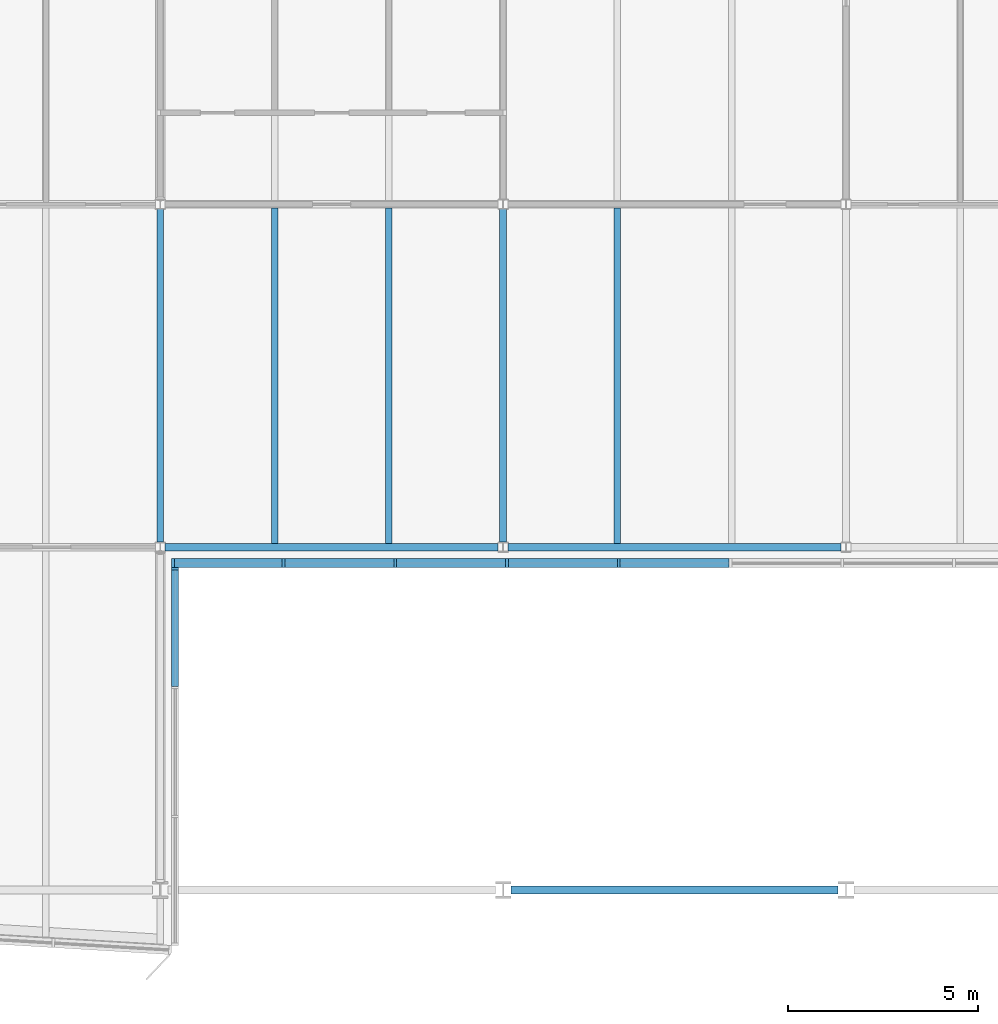
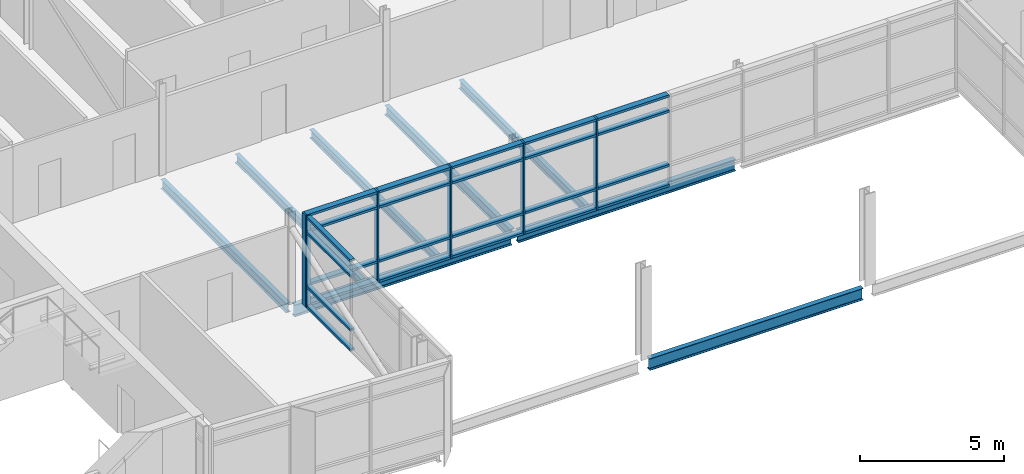
# One storey, part 3 of 20: 30 members, 8 beams, 2 elements without a shape of their own.
"""IFC4 building model written with IfcOpenShell, lengths in metres."""

from ifc_helpers import new_model, si_unit, direction, frame, origin, origin_2d, place, context, subcontext, project, spatial, rectangle, i_section, extrude, material, material_profile, profile_set, type_object, element, aggregate, save


model = new_model("IFC4")

# Units and contexts
model_context = context("Model", 3, precision=1e-05, world=origin(), true_north=direction((0.0, 1.0)))
body_context = subcontext(model_context, "Body", "Model", "MODEL_VIEW")
ifc_project = project(units=[si_unit("LENGTHUNIT", "METRE"), si_unit("AREAUNIT", "SQUARE_METRE"), si_unit("VOLUMEUNIT", "CUBIC_METRE"), si_unit("PLANEANGLEUNIT", "RADIAN"), si_unit("MASSUNIT", "GRAM", prefix="KILO")], contexts=[model_context])

# Site, building, storey
site_placement = place(None, origin())
site = spatial("IfcSite", under=ifc_project, at=site_placement, CompositionType="ELEMENT")
building_placement = place(site_placement, origin())
building = spatial("IfcBuilding", under=site, at=building_placement, Name="Azimuth Sports and Learning Centre", CompositionType="ELEMENT")
storey_placement = place(building_placement, frame((0.0, 0.0, 71.39990234375)))
storey = spatial("IfcBuildingStorey", under=building, at=storey_placement, Name="L16", CompositionType="ELEMENT", Elevation=71.39990234375)

# Beams
ifc_material_1 = material(Name="Steel S355", Category="steel")
ifc_material_profile_1 = material_profile(ifc_material_1, i_section(OverallWidth=0.179931640625, OverallDepth=0.39990234375, WebThickness=0.008544921875, FlangeThickness=0.013427734375, FilletRadius=0.02099609375, at=origin_2d()), Name="IPE 400")
ifc_profile_set_1 = profile_set([ifc_material_profile_1], Name="Steel S355")
beam_type_1 = type_object("IfcBeamType", Name="Beam IPE 400", PredefinedType="BEAM", material=ifc_profile_set_1)
for number, where, z_axis, x_axis, name in (
    (1, (72.0, 99.1298828125, -0.329833984375), (0.0, 1.0, 0.0), (-1.0, 0.0, 0.0), "Tower tie"),
    (2, (81.0, 99.1298828125, -0.329833984375), (0.0, 1.0, 0.0), (-1.0, 0.0, 0.0), "Tower tie"),
):
    element("IfcBeam", number, at=place(storey_placement, frame(where, z_axis=z_axis, x_axis=x_axis)), inside=storey, type_object=beam_type_1, Name=name, PredefinedType="BEAM", context=body_context, shape_type="SweptSolid", body=[
        extrude(i_section(OverallWidth=0.179931640625, OverallDepth=0.39990234375, WebThickness=0.008544921875, FlangeThickness=0.013427734375, FilletRadius=0.02099609375, at=origin_2d()), origin(), (0.0, 0.0, 1.0), 8.740234375),
    ])
ifc_material_2 = material(Name="Steel S355", Category="steel")
ifc_material_profile_2 = material_profile(ifc_material_2, i_section(OverallWidth=0.199951171875, OverallDepth=0.5, WebThickness=0.01025390625, FlangeThickness=0.01611328125, FilletRadius=0.02099609375, at=origin_2d()), Name="IPE 500")
ifc_profile_set_2 = profile_set([ifc_material_profile_2], Name="Steel S355")
beam_type_2 = type_object("IfcBeamType", Name="Beam IPE 500", PredefinedType="BEAM", material=ifc_profile_set_2)
beam_placement = place(storey_placement, frame((81.2060546875, 90.0, -0.3798828125), z_axis=(1.0, 0.0, 0.0), x_axis=(0.0, 1.0, 0.0)))
element("IfcBeam", 3, at=beam_placement, inside=storey, type_object=beam_type_2, Name="Tower girder L16", PredefinedType="BEAM", context=body_context, shape_type="SweptSolid", body=[
    extrude(i_section(OverallWidth=0.199951171875, OverallDepth=0.5, WebThickness=0.01025390625, FlangeThickness=0.01611328125, FilletRadius=0.02099609375, at=origin_2d()), origin(), (0.0, 0.0, 1.0), 8.587890625),
])
for number, where, z_axis, x_axis, name in (
    (4, (72.1298828125, 99.0, -0.3798828125), (1.0, 0.0, 0.0), (0.0, 1.0, 0.0), "Tower girder L16"),
    (5, (81.1298828125, 99.0, -0.3798828125), (1.0, 0.0, 0.0), (0.0, 1.0, 0.0), "Tower girder L16"),
):
    element("IfcBeam", number, at=place(storey_placement, frame(where, z_axis=z_axis, x_axis=x_axis)), inside=storey, type_object=beam_type_2, Name=name, PredefinedType="BEAM", context=body_context, shape_type="SweptSolid", body=[
        extrude(i_section(OverallWidth=0.199951171875, OverallDepth=0.5, WebThickness=0.01025390625, FlangeThickness=0.01611328125, FilletRadius=0.02099609375, at=origin_2d()), origin(), (0.0, 0.0, 1.0), 8.740234375),
    ])
ifc_material_3 = material(Name="Steel S355", Category="steel")
ifc_material_profile_3 = material_profile(ifc_material_3, i_section(OverallWidth=0.169921875, OverallDepth=0.360107421875, WebThickness=0.008056640625, FlangeThickness=0.0126953125, FilletRadius=0.01806640625, at=origin_2d()), Name="IPE 360")
ifc_profile_set_3 = profile_set([ifc_material_profile_3], Name="Steel S355")
beam_type_3 = type_object("IfcBeamType", Name="Joist IPE 360", PredefinedType="JOIST", material=ifc_profile_set_3)
for number, where, z_axis, x_axis, name in (
    (6, (75.0, 99.10009765625, -0.309814453125), (0.0, 1.0, 0.0), (-1.0, 0.0, 0.0), "Tower joist"),
    (7, (78.0, 99.10009765625, -0.309814453125), (0.0, 1.0, 0.0), (-1.0, 0.0, 0.0), "Tower joist"),
    (8, (84.0, 99.10009765625, -0.309814453125), (0.0, 1.0, 0.0), (-1.0, 0.0, 0.0), "Tower joist"),
):
    element("IfcBeam", number, at=place(storey_placement, frame(where, z_axis=z_axis, x_axis=x_axis)), inside=storey, type_object=beam_type_3, Name=name, PredefinedType="JOIST", context=body_context, shape_type="SweptSolid", body=[
        extrude(i_section(OverallWidth=0.169921875, OverallDepth=0.360107421875, WebThickness=0.008056640625, FlangeThickness=0.0126953125, FilletRadius=0.01806640625, at=origin_2d()), origin(), (0.0, 0.0, 1.0), 8.7998046875),
    ])

# Curtain wall, member
ifc_material_4 = material(Name="Aluminium and glass", Category="aluminium")
curtain_wall_type_1 = type_object("IfcCurtainWallType", Name="Curtain wall tower return 180", PredefinedType="NOTDEFINED", material=ifc_material_4)
curtain_wall_1_placement = place(storey_placement, origin())
curtain_wall_1 = element("IfcCurtainWall", 9, at=curtain_wall_1_placement, inside=storey, type_object=curtain_wall_type_1, Name="Curtain wall CW16-003", PredefinedType="NOTDEFINED")
ifc_material_5 = material(Name="Aluminium", Category="aluminium")
ifc_material_profile_4 = material_profile(ifc_material_5, rectangle(XDim=0.179931640625, YDim=0.06005859375, at=origin_2d()), Name="Mullion 60x180")
ifc_profile_set_4 = profile_set([ifc_material_profile_4], Name="Aluminium")
member_type_1 = type_object("IfcMemberType", Name="Mullion 60x180", PredefinedType="MULLION", material=ifc_profile_set_4)
member_1_placement = place(storey_placement, frame((72.389892578125, 98.429931640625, 0.0), z_axis=(0.0, 0.0, 1.0), x_axis=(-1.0, 0.0, 0.0)))
member_1 = element("IfcMember", 10, at=member_1_placement, type_object=member_type_1, Name="CW16-003 mullion 4", PredefinedType="MULLION", context=body_context, shape_type="SweptSolid", body=[
    extrude(rectangle(XDim=0.179931640625, YDim=0.06005859375, at=origin_2d()), origin(), (0.0, 0.0, 1.0), 3.900146484375),
])

# Curtain wall, members
ifc_material_6 = material(Name="Aluminium and glass", Category="aluminium")
curtain_wall_type_2 = type_object("IfcCurtainWallType", Name="Curtain wall tower south 240", PredefinedType="NOTDEFINED", material=ifc_material_6)
curtain_wall_2_placement = place(storey_placement, origin())
curtain_wall_2 = element("IfcCurtainWall", 11, at=curtain_wall_2_placement, inside=storey, type_object=curtain_wall_type_2, Name="Curtain wall CW16-004", PredefinedType="NOTDEFINED")
ifc_material_7 = material(Name="Aluminium", Category="aluminium")
ifc_material_profile_5 = material_profile(ifc_material_7, rectangle(XDim=0.239990234375, YDim=0.070068359375, at=origin_2d()), Name="Mullion 70x240")
ifc_profile_set_5 = profile_set([ifc_material_profile_5], Name="Aluminium")
member_type_2 = type_object("IfcMemberType", Name="Mullion 70x240", PredefinedType="MULLION", material=ifc_profile_set_5)
member_2_placement = place(storey_placement, frame((72.3349609375, 98.580078125, 0.0), z_axis=(0.0, 0.0, 1.0), x_axis=(0.0, 1.0, 0.0)))
member_2 = element("IfcMember", 12, at=member_2_placement, type_object=member_type_2, Name="CW16-004 mullion 1", PredefinedType="MULLION", context=body_context, shape_type="SweptSolid", body=[
    extrude(rectangle(XDim=0.239990234375, YDim=0.070068359375, at=origin_2d()), origin(), (0.0, 0.0, 1.0), 3.900146484375),
])
member_3_placement = place(storey_placement, frame((75.2333984375, 98.580078125, 0.0), z_axis=(0.0, 0.0, 1.0), x_axis=(0.0, 1.0, 0.0)))
member_3 = element("IfcMember", 13, at=member_3_placement, type_object=member_type_2, Name="CW16-004 mullion 2", PredefinedType="MULLION", context=body_context, shape_type="SweptSolid", body=[
    extrude(rectangle(XDim=0.239990234375, YDim=0.070068359375, at=origin_2d()), origin(), (0.0, 0.0, 1.0), 3.900146484375),
])
member_4_placement = place(storey_placement, frame((78.166748046875, 98.580078125, 0.0), z_axis=(0.0, 0.0, 1.0), x_axis=(0.0, 1.0, 0.0)))
member_4 = element("IfcMember", 14, at=member_4_placement, type_object=member_type_2, Name="CW16-004 mullion 3", PredefinedType="MULLION", context=body_context, shape_type="SweptSolid", body=[
    extrude(rectangle(XDim=0.239990234375, YDim=0.070068359375, at=origin_2d()), origin(), (0.0, 0.0, 1.0), 3.900146484375),
])
member_5_placement = place(storey_placement, frame((81.10009765625, 98.580078125, 0.0), z_axis=(0.0, 0.0, 1.0), x_axis=(0.0, 1.0, 0.0)))
member_5 = element("IfcMember", 15, at=member_5_placement, type_object=member_type_2, Name="CW16-004 mullion 4", PredefinedType="MULLION", context=body_context, shape_type="SweptSolid", body=[
    extrude(rectangle(XDim=0.239990234375, YDim=0.070068359375, at=origin_2d()), origin(), (0.0, 0.0, 1.0), 3.900146484375),
])
member_6_placement = place(storey_placement, frame((84.033447265625, 98.580078125, 0.0), z_axis=(0.0, 0.0, 1.0), x_axis=(0.0, 1.0, 0.0)))
member_6 = element("IfcMember", 16, at=member_6_placement, type_object=member_type_2, Name="CW16-004 mullion 5", PredefinedType="MULLION", context=body_context, shape_type="SweptSolid", body=[
    extrude(rectangle(XDim=0.239990234375, YDim=0.070068359375, at=origin_2d()), origin(), (0.0, 0.0, 1.0), 3.900146484375),
])

# Member
ifc_material_8 = material(Name="Aluminium", Category="aluminium")
ifc_material_profile_6 = material_profile(ifc_material_8, rectangle(XDim=0.179931640625, YDim=0.10009765625, at=origin_2d()), Name="Transom 100x180")
ifc_profile_set_6 = profile_set([ifc_material_profile_6], Name="Aluminium")
member_type_3 = type_object("IfcMemberType", Name="Transom 100x180", PredefinedType="USERDEFINED", material=ifc_profile_set_6)
member_7_placement = place(storey_placement, frame((72.389892578125, 95.343994140625, 0.050048828125), z_axis=(0.0, 1.0, 0.0), x_axis=(-1.0, 0.0, 0.0)))
member_7 = element("IfcMember", 17, at=member_7_placement, type_object=member_type_3, Name="CW16-003 transom 3.1", ObjectType="TRANSOM", PredefinedType="USERDEFINED", context=body_context, shape_type="SweptSolid", body=[
    extrude(rectangle(XDim=0.179931640625, YDim=0.10009765625, at=origin_2d()), origin(), (0.0, 0.0, 1.0), 3.055908203125),
])

member_8_placement = place(storey_placement, frame((72.389892578125, 95.343994140625, 0.900146484375), z_axis=(0.0, 1.0, 0.0), x_axis=(-1.0, 0.0, 0.0)))
member_8 = element("IfcMember", 18, at=member_8_placement, type_object=member_type_3, Name="CW16-003 transom 3.2", ObjectType="TRANSOM", PredefinedType="USERDEFINED", context=body_context, shape_type="SweptSolid", body=[
    extrude(rectangle(XDim=0.179931640625, YDim=0.10009765625, at=origin_2d()), origin(), (0.0, 0.0, 1.0), 3.055908203125),
])

member_9_placement = place(storey_placement, frame((72.389892578125, 95.343994140625, 3.2001953125), z_axis=(0.0, 1.0, 0.0), x_axis=(-1.0, 0.0, 0.0)))
member_9 = element("IfcMember", 19, at=member_9_placement, type_object=member_type_3, Name="CW16-003 transom 3.3", ObjectType="TRANSOM", PredefinedType="USERDEFINED", context=body_context, shape_type="SweptSolid", body=[
    extrude(rectangle(XDim=0.179931640625, YDim=0.10009765625, at=origin_2d()), origin(), (0.0, 0.0, 1.0), 3.055908203125),
])

member_10_placement = place(storey_placement, frame((72.389892578125, 95.343994140625, 3.85009765625), z_axis=(0.0, 1.0, 0.0), x_axis=(-1.0, 0.0, 0.0)))
member_10 = element("IfcMember", 20, at=member_10_placement, type_object=member_type_3, Name="CW16-003 transom 3.4", ObjectType="TRANSOM", PredefinedType="USERDEFINED", context=body_context, shape_type="SweptSolid", body=[
    extrude(rectangle(XDim=0.179931640625, YDim=0.10009765625, at=origin_2d()), origin(), (0.0, 0.0, 1.0), 3.055908203125),
])

aggregate(curtain_wall_1, [member_1, member_7, member_8, member_9, member_10])

ifc_material_9 = material(Name="Aluminium", Category="aluminium")
ifc_material_profile_7 = material_profile(ifc_material_9, rectangle(XDim=0.239990234375, YDim=0.10009765625, at=origin_2d()), Name="Transom 100x240")
ifc_profile_set_7 = profile_set([ifc_material_profile_7], Name="Aluminium")
member_type_4 = type_object("IfcMemberType", Name="Transom 100x240", PredefinedType="USERDEFINED", material=ifc_profile_set_7)
member_11_placement = place(storey_placement, frame((72.3701171875, 98.580078125, 0.050048828125), z_axis=(1.0, 0.0, 0.0), x_axis=(0.0, 1.0, 0.0)))
member_11 = element("IfcMember", 21, at=member_11_placement, type_object=member_type_4, Name="CW16-004 transom 1.1", ObjectType="TRANSOM", PredefinedType="USERDEFINED", context=body_context, shape_type="SweptSolid", body=[
    extrude(rectangle(XDim=0.239990234375, YDim=0.10009765625, at=origin_2d()), origin(), (0.0, 0.0, 1.0), 2.828125),
])

member_12_placement = place(storey_placement, frame((72.3701171875, 98.580078125, 0.900146484375), z_axis=(1.0, 0.0, 0.0), x_axis=(0.0, 1.0, 0.0)))
member_12 = element("IfcMember", 22, at=member_12_placement, type_object=member_type_4, Name="CW16-004 transom 1.2", ObjectType="TRANSOM", PredefinedType="USERDEFINED", context=body_context, shape_type="SweptSolid", body=[
    extrude(rectangle(XDim=0.239990234375, YDim=0.10009765625, at=origin_2d()), origin(), (0.0, 0.0, 1.0), 2.828125),
])

member_13_placement = place(storey_placement, frame((72.3701171875, 98.580078125, 3.2001953125), z_axis=(1.0, 0.0, 0.0), x_axis=(0.0, 1.0, 0.0)))
member_13 = element("IfcMember", 23, at=member_13_placement, type_object=member_type_4, Name="CW16-004 transom 1.3", ObjectType="TRANSOM", PredefinedType="USERDEFINED", context=body_context, shape_type="SweptSolid", body=[
    extrude(rectangle(XDim=0.239990234375, YDim=0.10009765625, at=origin_2d()), origin(), (0.0, 0.0, 1.0), 2.828125),
])

member_14_placement = place(storey_placement, frame((72.3701171875, 98.580078125, 3.85009765625), z_axis=(1.0, 0.0, 0.0), x_axis=(0.0, 1.0, 0.0)))
member_14 = element("IfcMember", 24, at=member_14_placement, type_object=member_type_4, Name="CW16-004 transom 1.4", ObjectType="TRANSOM", PredefinedType="USERDEFINED", context=body_context, shape_type="SweptSolid", body=[
    extrude(rectangle(XDim=0.239990234375, YDim=0.10009765625, at=origin_2d()), origin(), (0.0, 0.0, 1.0), 2.828125),
])

member_15_placement = place(storey_placement, frame((75.268310546875, 98.580078125, 0.050048828125), z_axis=(1.0, 0.0, 0.0), x_axis=(0.0, 1.0, 0.0)))
member_15 = element("IfcMember", 25, at=member_15_placement, type_object=member_type_4, Name="CW16-004 transom 2.1", ObjectType="TRANSOM", PredefinedType="USERDEFINED", context=body_context, shape_type="SweptSolid", body=[
    extrude(rectangle(XDim=0.239990234375, YDim=0.10009765625, at=origin_2d()), origin(), (0.0, 0.0, 1.0), 2.86328125),
])

member_16_placement = place(storey_placement, frame((75.268310546875, 98.580078125, 0.900146484375), z_axis=(1.0, 0.0, 0.0), x_axis=(0.0, 1.0, 0.0)))
member_16 = element("IfcMember", 26, at=member_16_placement, type_object=member_type_4, Name="CW16-004 transom 2.2", ObjectType="TRANSOM", PredefinedType="USERDEFINED", context=body_context, shape_type="SweptSolid", body=[
    extrude(rectangle(XDim=0.239990234375, YDim=0.10009765625, at=origin_2d()), origin(), (0.0, 0.0, 1.0), 2.86328125),
])

member_17_placement = place(storey_placement, frame((75.268310546875, 98.580078125, 3.2001953125), z_axis=(1.0, 0.0, 0.0), x_axis=(0.0, 1.0, 0.0)))
member_17 = element("IfcMember", 27, at=member_17_placement, type_object=member_type_4, Name="CW16-004 transom 2.3", ObjectType="TRANSOM", PredefinedType="USERDEFINED", context=body_context, shape_type="SweptSolid", body=[
    extrude(rectangle(XDim=0.239990234375, YDim=0.10009765625, at=origin_2d()), origin(), (0.0, 0.0, 1.0), 2.86328125),
])

member_18_placement = place(storey_placement, frame((75.268310546875, 98.580078125, 3.85009765625), z_axis=(1.0, 0.0, 0.0), x_axis=(0.0, 1.0, 0.0)))
member_18 = element("IfcMember", 28, at=member_18_placement, type_object=member_type_4, Name="CW16-004 transom 2.4", ObjectType="TRANSOM", PredefinedType="USERDEFINED", context=body_context, shape_type="SweptSolid", body=[
    extrude(rectangle(XDim=0.239990234375, YDim=0.10009765625, at=origin_2d()), origin(), (0.0, 0.0, 1.0), 2.86328125),
])

member_19_placement = place(storey_placement, frame((78.20166015625, 98.580078125, 0.050048828125), z_axis=(1.0, 0.0, 0.0), x_axis=(0.0, 1.0, 0.0)))
member_19 = element("IfcMember", 29, at=member_19_placement, type_object=member_type_4, Name="CW16-004 transom 3.1", ObjectType="TRANSOM", PredefinedType="USERDEFINED", context=body_context, shape_type="SweptSolid", body=[
    extrude(rectangle(XDim=0.239990234375, YDim=0.10009765625, at=origin_2d()), origin(), (0.0, 0.0, 1.0), 2.86328125),
])

member_20_placement = place(storey_placement, frame((78.20166015625, 98.580078125, 0.900146484375), z_axis=(1.0, 0.0, 0.0), x_axis=(0.0, 1.0, 0.0)))
member_20 = element("IfcMember", 30, at=member_20_placement, type_object=member_type_4, Name="CW16-004 transom 3.2", ObjectType="TRANSOM", PredefinedType="USERDEFINED", context=body_context, shape_type="SweptSolid", body=[
    extrude(rectangle(XDim=0.239990234375, YDim=0.10009765625, at=origin_2d()), origin(), (0.0, 0.0, 1.0), 2.86328125),
])

member_21_placement = place(storey_placement, frame((78.20166015625, 98.580078125, 3.2001953125), z_axis=(1.0, 0.0, 0.0), x_axis=(0.0, 1.0, 0.0)))
member_21 = element("IfcMember", 31, at=member_21_placement, type_object=member_type_4, Name="CW16-004 transom 3.3", ObjectType="TRANSOM", PredefinedType="USERDEFINED", context=body_context, shape_type="SweptSolid", body=[
    extrude(rectangle(XDim=0.239990234375, YDim=0.10009765625, at=origin_2d()), origin(), (0.0, 0.0, 1.0), 2.86328125),
])

member_22_placement = place(storey_placement, frame((78.20166015625, 98.580078125, 3.85009765625), z_axis=(1.0, 0.0, 0.0), x_axis=(0.0, 1.0, 0.0)))
member_22 = element("IfcMember", 32, at=member_22_placement, type_object=member_type_4, Name="CW16-004 transom 3.4", ObjectType="TRANSOM", PredefinedType="USERDEFINED", context=body_context, shape_type="SweptSolid", body=[
    extrude(rectangle(XDim=0.239990234375, YDim=0.10009765625, at=origin_2d()), origin(), (0.0, 0.0, 1.0), 2.86328125),
])

member_23_placement = place(storey_placement, frame((81.135009765625, 98.580078125, 0.050048828125), z_axis=(1.0, 0.0, 0.0), x_axis=(0.0, 1.0, 0.0)))
member_23 = element("IfcMember", 33, at=member_23_placement, type_object=member_type_4, Name="CW16-004 transom 4.1", ObjectType="TRANSOM", PredefinedType="USERDEFINED", context=body_context, shape_type="SweptSolid", body=[
    extrude(rectangle(XDim=0.239990234375, YDim=0.10009765625, at=origin_2d()), origin(), (0.0, 0.0, 1.0), 2.86328125),
])

member_24_placement = place(storey_placement, frame((81.135009765625, 98.580078125, 0.900146484375), z_axis=(1.0, 0.0, 0.0), x_axis=(0.0, 1.0, 0.0)))
member_24 = element("IfcMember", 34, at=member_24_placement, type_object=member_type_4, Name="CW16-004 transom 4.2", ObjectType="TRANSOM", PredefinedType="USERDEFINED", context=body_context, shape_type="SweptSolid", body=[
    extrude(rectangle(XDim=0.239990234375, YDim=0.10009765625, at=origin_2d()), origin(), (0.0, 0.0, 1.0), 2.86328125),
])

member_25_placement = place(storey_placement, frame((81.135009765625, 98.580078125, 3.2001953125), z_axis=(1.0, 0.0, 0.0), x_axis=(0.0, 1.0, 0.0)))
member_25 = element("IfcMember", 35, at=member_25_placement, type_object=member_type_4, Name="CW16-004 transom 4.3", ObjectType="TRANSOM", PredefinedType="USERDEFINED", context=body_context, shape_type="SweptSolid", body=[
    extrude(rectangle(XDim=0.239990234375, YDim=0.10009765625, at=origin_2d()), origin(), (0.0, 0.0, 1.0), 2.86328125),
])

member_26_placement = place(storey_placement, frame((81.135009765625, 98.580078125, 3.85009765625), z_axis=(1.0, 0.0, 0.0), x_axis=(0.0, 1.0, 0.0)))
member_26 = element("IfcMember", 36, at=member_26_placement, type_object=member_type_4, Name="CW16-004 transom 4.4", ObjectType="TRANSOM", PredefinedType="USERDEFINED", context=body_context, shape_type="SweptSolid", body=[
    extrude(rectangle(XDim=0.239990234375, YDim=0.10009765625, at=origin_2d()), origin(), (0.0, 0.0, 1.0), 2.86328125),
])

member_27_placement = place(storey_placement, frame((84.068359375, 98.580078125, 0.050048828125), z_axis=(1.0, 0.0, 0.0), x_axis=(0.0, 1.0, 0.0)))
member_27 = element("IfcMember", 37, at=member_27_placement, type_object=member_type_4, Name="CW16-004 transom 5.1", ObjectType="TRANSOM", PredefinedType="USERDEFINED", context=body_context, shape_type="SweptSolid", body=[
    extrude(rectangle(XDim=0.239990234375, YDim=0.10009765625, at=origin_2d()), origin(), (0.0, 0.0, 1.0), 2.86328125),
])

member_28_placement = place(storey_placement, frame((84.068359375, 98.580078125, 0.900146484375), z_axis=(1.0, 0.0, 0.0), x_axis=(0.0, 1.0, 0.0)))
member_28 = element("IfcMember", 38, at=member_28_placement, type_object=member_type_4, Name="CW16-004 transom 5.2", ObjectType="TRANSOM", PredefinedType="USERDEFINED", context=body_context, shape_type="SweptSolid", body=[
    extrude(rectangle(XDim=0.239990234375, YDim=0.10009765625, at=origin_2d()), origin(), (0.0, 0.0, 1.0), 2.86328125),
])

member_29_placement = place(storey_placement, frame((84.068359375, 98.580078125, 3.2001953125), z_axis=(1.0, 0.0, 0.0), x_axis=(0.0, 1.0, 0.0)))
member_29 = element("IfcMember", 39, at=member_29_placement, type_object=member_type_4, Name="CW16-004 transom 5.3", ObjectType="TRANSOM", PredefinedType="USERDEFINED", context=body_context, shape_type="SweptSolid", body=[
    extrude(rectangle(XDim=0.239990234375, YDim=0.10009765625, at=origin_2d()), origin(), (0.0, 0.0, 1.0), 2.86328125),
])

member_30_placement = place(storey_placement, frame((84.068359375, 98.580078125, 3.85009765625), z_axis=(1.0, 0.0, 0.0), x_axis=(0.0, 1.0, 0.0)))
member_30 = element("IfcMember", 40, at=member_30_placement, type_object=member_type_4, Name="CW16-004 transom 5.4", ObjectType="TRANSOM", PredefinedType="USERDEFINED", context=body_context, shape_type="SweptSolid", body=[
    extrude(rectangle(XDim=0.239990234375, YDim=0.10009765625, at=origin_2d()), origin(), (0.0, 0.0, 1.0), 2.86328125),
])

aggregate(curtain_wall_2, [member_2, member_3, member_4, member_5, member_6, member_11, member_12, member_13, member_14, member_15, member_16, member_17, member_18, member_19, member_20, member_21, member_22, member_23, member_24, member_25, member_26, member_27, member_28, member_29, member_30])

save(model, "model.ifc")
